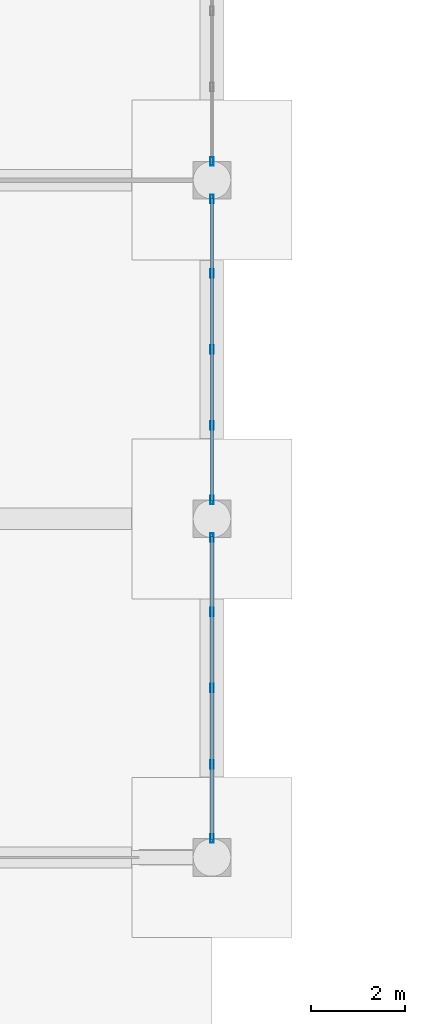
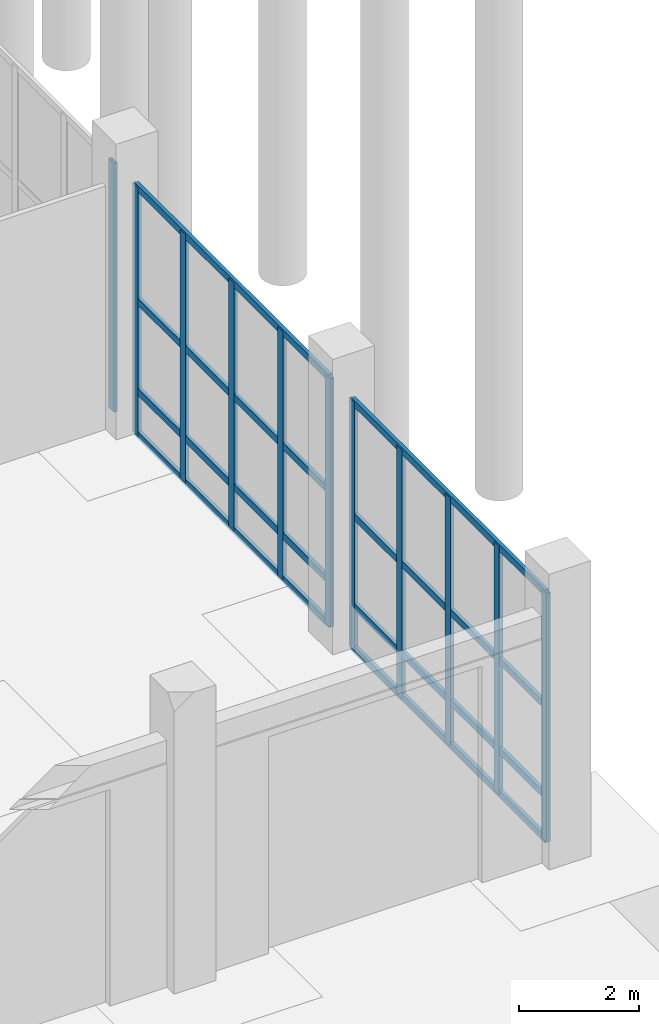
# One storey, part 15 of 45: 19 members, 3 elements without a shape of their own.
"""IFC4 building model written with IfcOpenShell, lengths in metres."""

from ifc_helpers import new_model, si_unit, direction, frame, origin, origin_2d, place, context, subcontext, project, spatial, hollow_rectangle, extrude, material, material_profile, profile_set, type_object, element, aggregate, save


model = new_model("IFC4")

# Units and contexts
model_context = context("Model", 3, precision=1e-05, world=origin(), true_north=direction((0.0, 1.0)))
body_context = subcontext(model_context, "Body", "Model", "MODEL_VIEW")
ifc_project = project(units=[si_unit("LENGTHUNIT", "METRE"), si_unit("AREAUNIT", "SQUARE_METRE"), si_unit("VOLUMEUNIT", "CUBIC_METRE"), si_unit("PLANEANGLEUNIT", "RADIAN"), si_unit("MASSUNIT", "GRAM", prefix="KILO")], contexts=[model_context])

# Site, building, storey
site_placement = place(None, origin())
site = spatial("IfcSite", under=ifc_project, at=site_placement, CompositionType="ELEMENT")
building_placement = place(site_placement, origin())
building = spatial("IfcBuilding", under=site, at=building_placement, Name="Yarey Park Central Fire Station", CompositionType="ELEMENT")
storey_placement = place(building_placement, origin())
storey = spatial("IfcBuildingStorey", under=building, at=storey_placement, Name="L01", CompositionType="ELEMENT", Elevation=0.0)

# Curtain wall, members
ifc_material = material(Name="Anodized Aluminium Frame", Category="aluminium")
curtain_wall_type = type_object("IfcCurtainWallType", Name="ENV_CW_HQ_L01", PredefinedType="NOTDEFINED", material=ifc_material)
curtain_wall_1_placement = place(storey_placement, origin())
curtain_wall_1 = element("IfcCurtainWall", 1, at=curtain_wall_1_placement, inside=storey, type_object=curtain_wall_type, Name="CW_L01_V1_E_1", PredefinedType="NOTDEFINED")
ifc_material_profile_1 = material_profile(ifc_material, hollow_rectangle(XDim=0.070068359375, YDim=0.179931640625, WallThickness=0.00390625, at=origin_2d()), Name="ALU 180x70x4")
ifc_profile_set_1 = profile_set([ifc_material_profile_1], Name="Anodized Aluminium Frame")
member_type_1 = type_object("IfcMemberType", Name="ENV_CW_MULLION", PredefinedType="MULLION", material=ifc_profile_set_1)
member_1_placement = place(storey_placement, frame((57.60009765625, 7.60009765625, 0.0), z_axis=(0.0, 0.0, 1.0), x_axis=(1.0, 0.0, 0.0)))
member_1 = element("IfcMember", 2, at=member_1_placement, type_object=member_type_1, Name="CW_L01_V1_E_1_MUL1", PredefinedType="MULLION", context=body_context, shape_type="SweptSolid", body=[
    extrude(hollow_rectangle(XDim=0.070068359375, YDim=0.179931640625, WallThickness=0.00390625, at=origin_2d()), origin(), (0.0, 0.0, 1.0), 5.050048828125),
])
member_2_placement = place(storey_placement, frame((57.60009765625, 9.179931640625, 0.0), z_axis=(0.0, 0.0, 1.0), x_axis=(1.0, 0.0, 0.0)))
member_2 = element("IfcMember", 3, at=member_2_placement, type_object=member_type_1, Name="CW_L01_V1_E_1_MUL2", PredefinedType="MULLION", context=body_context, shape_type="SweptSolid", body=[
    extrude(hollow_rectangle(XDim=0.070068359375, YDim=0.179931640625, WallThickness=0.00390625, at=origin_2d()), origin(), (0.0, 0.0, 1.0), 5.050048828125),
])
member_3_placement = place(storey_placement, frame((57.60009765625, 10.800048828125, 0.0), z_axis=(0.0, 0.0, 1.0), x_axis=(1.0, 0.0, 0.0)))
member_3 = element("IfcMember", 4, at=member_3_placement, type_object=member_type_1, Name="CW_L01_V1_E_1_MUL3", PredefinedType="MULLION", context=body_context, shape_type="SweptSolid", body=[
    extrude(hollow_rectangle(XDim=0.070068359375, YDim=0.179931640625, WallThickness=0.00390625, at=origin_2d()), origin(), (0.0, 0.0, 1.0), 5.050048828125),
])
member_4_placement = place(storey_placement, frame((57.60009765625, 12.419921875, 0.0), z_axis=(0.0, 0.0, 1.0), x_axis=(1.0, 0.0, 0.0)))
member_4 = element("IfcMember", 5, at=member_4_placement, type_object=member_type_1, Name="CW_L01_V1_E_1_MUL4", PredefinedType="MULLION", context=body_context, shape_type="SweptSolid", body=[
    extrude(hollow_rectangle(XDim=0.070068359375, YDim=0.179931640625, WallThickness=0.00390625, at=origin_2d()), origin(), (0.0, 0.0, 1.0), 5.050048828125),
])
member_5_placement = place(storey_placement, frame((57.60009765625, 14.0, 0.0), z_axis=(0.0, 0.0, 1.0), x_axis=(1.0, 0.0, 0.0)))
member_5 = element("IfcMember", 6, at=member_5_placement, type_object=member_type_1, Name="CW_L01_V1_E_1_MUL5", PredefinedType="MULLION", context=body_context, shape_type="SweptSolid", body=[
    extrude(hollow_rectangle(XDim=0.070068359375, YDim=0.179931640625, WallThickness=0.00390625, at=origin_2d()), origin(), (0.0, 0.0, 1.0), 5.050048828125),
])

curtain_wall_2_placement = place(storey_placement, origin())
curtain_wall_2 = element("IfcCurtainWall", 7, at=curtain_wall_2_placement, inside=storey, type_object=curtain_wall_type, Name="CW_L01_V1_E_2", PredefinedType="NOTDEFINED")
member_6_placement = place(storey_placement, frame((57.60009765625, 14.800048828125, 0.0), z_axis=(0.0, 0.0, 1.0), x_axis=(1.0, 0.0, 0.0)))
member_6 = element("IfcMember", 8, at=member_6_placement, type_object=member_type_1, Name="CW_L01_V1_E_2_MUL1", PredefinedType="MULLION", context=body_context, shape_type="SweptSolid", body=[
    extrude(hollow_rectangle(XDim=0.070068359375, YDim=0.179931640625, WallThickness=0.00390625, at=origin_2d()), origin(), (0.0, 0.0, 1.0), 5.050048828125),
])
member_7_placement = place(storey_placement, frame((57.60009765625, 16.3798828125, 0.0), z_axis=(0.0, 0.0, 1.0), x_axis=(1.0, 0.0, 0.0)))
member_7 = element("IfcMember", 9, at=member_7_placement, type_object=member_type_1, Name="CW_L01_V1_E_2_MUL2", PredefinedType="MULLION", context=body_context, shape_type="SweptSolid", body=[
    extrude(hollow_rectangle(XDim=0.070068359375, YDim=0.179931640625, WallThickness=0.00390625, at=origin_2d()), origin(), (0.0, 0.0, 1.0), 5.050048828125),
])
member_8_placement = place(storey_placement, frame((57.60009765625, 18.0, 0.0), z_axis=(0.0, 0.0, 1.0), x_axis=(1.0, 0.0, 0.0)))
member_8 = element("IfcMember", 10, at=member_8_placement, type_object=member_type_1, Name="CW_L01_V1_E_2_MUL3", PredefinedType="MULLION", context=body_context, shape_type="SweptSolid", body=[
    extrude(hollow_rectangle(XDim=0.070068359375, YDim=0.179931640625, WallThickness=0.00390625, at=origin_2d()), origin(), (0.0, 0.0, 1.0), 5.050048828125),
])
member_9_placement = place(storey_placement, frame((57.60009765625, 19.6201171875, 0.0), z_axis=(0.0, 0.0, 1.0), x_axis=(1.0, 0.0, 0.0)))
member_9 = element("IfcMember", 11, at=member_9_placement, type_object=member_type_1, Name="CW_L01_V1_E_2_MUL4", PredefinedType="MULLION", context=body_context, shape_type="SweptSolid", body=[
    extrude(hollow_rectangle(XDim=0.070068359375, YDim=0.179931640625, WallThickness=0.00390625, at=origin_2d()), origin(), (0.0, 0.0, 1.0), 5.050048828125),
])
member_10_placement = place(storey_placement, frame((57.60009765625, 21.199951171875, 0.0), z_axis=(0.0, 0.0, 1.0), x_axis=(1.0, 0.0, 0.0)))
member_10 = element("IfcMember", 12, at=member_10_placement, type_object=member_type_1, Name="CW_L01_V1_E_2_MUL5", PredefinedType="MULLION", context=body_context, shape_type="SweptSolid", body=[
    extrude(hollow_rectangle(XDim=0.070068359375, YDim=0.179931640625, WallThickness=0.00390625, at=origin_2d()), origin(), (0.0, 0.0, 1.0), 5.050048828125),
])

# Curtain wall, member
curtain_wall_3_placement = place(storey_placement, origin())
curtain_wall_3 = element("IfcCurtainWall", 13, at=curtain_wall_3_placement, inside=storey, type_object=curtain_wall_type, Name="CW_L01_V1_E_3", PredefinedType="NOTDEFINED")
member_11_placement = place(storey_placement, frame((57.60009765625, 22.0, 0.0), z_axis=(0.0, 0.0, 1.0), x_axis=(1.0, 0.0, 0.0)))
member_11 = element("IfcMember", 14, at=member_11_placement, type_object=member_type_1, Name="CW_L01_V1_E_3_MUL1", PredefinedType="MULLION", context=body_context, shape_type="SweptSolid", body=[
    extrude(hollow_rectangle(XDim=0.070068359375, YDim=0.179931640625, WallThickness=0.00390625, at=origin_2d()), origin(), (0.0, 0.0, 1.0), 5.050048828125),
])
aggregate(curtain_wall_3, [member_11])

# Member
ifc_material_profile_2 = material_profile(ifc_material, hollow_rectangle(XDim=0.070068359375, YDim=0.139892578125, WallThickness=0.00390625, at=origin_2d()), Name="ALU 140x70x4")
ifc_profile_set_2 = profile_set([ifc_material_profile_2], Name="Anodized Aluminium Frame")
member_type_2 = type_object("IfcMemberType", Name="ENV_CW_TRANSOM", PredefinedType="USERDEFINED", material=ifc_profile_set_2)
member_12_placement = place(storey_placement, frame((57.60009765625, 7.574951171875, 0.02490234375), z_axis=(0.0, 1.0, 0.0), x_axis=(-1.0, 0.0, 0.0)))
member_12 = element("IfcMember", 15, at=member_12_placement, type_object=member_type_2, Name="CW_L01_V1_E_1_TRN1", ObjectType="TRANSOM", PredefinedType="USERDEFINED", context=body_context, shape_type="SweptSolid", body=[
    extrude(hollow_rectangle(XDim=0.070068359375, YDim=0.139892578125, WallThickness=0.00390625, at=origin_2d()), origin(), (0.0, 0.0, 1.0), 6.449951171875),
])

member_13_placement = place(storey_placement, frame((57.60009765625, 7.574951171875, 0.89990234375), z_axis=(0.0, 1.0, 0.0), x_axis=(-1.0, 0.0, 0.0)))
member_13 = element("IfcMember", 16, at=member_13_placement, type_object=member_type_2, Name="CW_L01_V1_E_1_TRN2", ObjectType="TRANSOM", PredefinedType="USERDEFINED", context=body_context, shape_type="SweptSolid", body=[
    extrude(hollow_rectangle(XDim=0.070068359375, YDim=0.139892578125, WallThickness=0.00390625, at=origin_2d()), origin(), (0.0, 0.0, 1.0), 6.449951171875),
])

member_14_placement = place(storey_placement, frame((57.60009765625, 7.574951171875, 2.72705078125), z_axis=(0.0, 1.0, 0.0), x_axis=(-1.0, 0.0, 0.0)))
member_14 = element("IfcMember", 17, at=member_14_placement, type_object=member_type_2, Name="CW_L01_V1_E_1_TRN3", ObjectType="TRANSOM", PredefinedType="USERDEFINED", context=body_context, shape_type="SweptSolid", body=[
    extrude(hollow_rectangle(XDim=0.070068359375, YDim=0.139892578125, WallThickness=0.00390625, at=origin_2d()), origin(), (0.0, 0.0, 1.0), 6.449951171875),
])

member_15_placement = place(storey_placement, frame((57.60009765625, 7.574951171875, 5.02490234375), z_axis=(0.0, 1.0, 0.0), x_axis=(-1.0, 0.0, 0.0)))
member_15 = element("IfcMember", 18, at=member_15_placement, type_object=member_type_2, Name="CW_L01_V1_E_1_TRN4", ObjectType="TRANSOM", PredefinedType="USERDEFINED", context=body_context, shape_type="SweptSolid", body=[
    extrude(hollow_rectangle(XDim=0.070068359375, YDim=0.139892578125, WallThickness=0.00390625, at=origin_2d()), origin(), (0.0, 0.0, 1.0), 6.449951171875),
])

aggregate(curtain_wall_1, [member_1, member_2, member_3, member_4, member_5, member_12, member_13, member_14, member_15])

member_16_placement = place(storey_placement, frame((57.60009765625, 14.77490234375, 0.02490234375), z_axis=(0.0, 1.0, 0.0), x_axis=(-1.0, 0.0, 0.0)))
member_16 = element("IfcMember", 19, at=member_16_placement, type_object=member_type_2, Name="CW_L01_V1_E_2_TRN1", ObjectType="TRANSOM", PredefinedType="USERDEFINED", context=body_context, shape_type="SweptSolid", body=[
    extrude(hollow_rectangle(XDim=0.070068359375, YDim=0.139892578125, WallThickness=0.00390625, at=origin_2d()), origin(), (0.0, 0.0, 1.0), 6.4501953125),
])

member_17_placement = place(storey_placement, frame((57.60009765625, 14.77490234375, 0.89990234375), z_axis=(0.0, 1.0, 0.0), x_axis=(-1.0, 0.0, 0.0)))
member_17 = element("IfcMember", 20, at=member_17_placement, type_object=member_type_2, Name="CW_L01_V1_E_2_TRN2", ObjectType="TRANSOM", PredefinedType="USERDEFINED", context=body_context, shape_type="SweptSolid", body=[
    extrude(hollow_rectangle(XDim=0.070068359375, YDim=0.139892578125, WallThickness=0.00390625, at=origin_2d()), origin(), (0.0, 0.0, 1.0), 6.4501953125),
])

member_18_placement = place(storey_placement, frame((57.60009765625, 14.77490234375, 2.72705078125), z_axis=(0.0, 1.0, 0.0), x_axis=(-1.0, 0.0, 0.0)))
member_18 = element("IfcMember", 21, at=member_18_placement, type_object=member_type_2, Name="CW_L01_V1_E_2_TRN3", ObjectType="TRANSOM", PredefinedType="USERDEFINED", context=body_context, shape_type="SweptSolid", body=[
    extrude(hollow_rectangle(XDim=0.070068359375, YDim=0.139892578125, WallThickness=0.00390625, at=origin_2d()), origin(), (0.0, 0.0, 1.0), 6.4501953125),
])

member_19_placement = place(storey_placement, frame((57.60009765625, 14.77490234375, 5.02490234375), z_axis=(0.0, 1.0, 0.0), x_axis=(-1.0, 0.0, 0.0)))
member_19 = element("IfcMember", 22, at=member_19_placement, type_object=member_type_2, Name="CW_L01_V1_E_2_TRN4", ObjectType="TRANSOM", PredefinedType="USERDEFINED", context=body_context, shape_type="SweptSolid", body=[
    extrude(hollow_rectangle(XDim=0.070068359375, YDim=0.139892578125, WallThickness=0.00390625, at=origin_2d()), origin(), (0.0, 0.0, 1.0), 6.4501953125),
])

aggregate(curtain_wall_2, [member_6, member_7, member_8, member_9, member_10, member_16, member_17, member_18, member_19])

save(model, "model.ifc")
